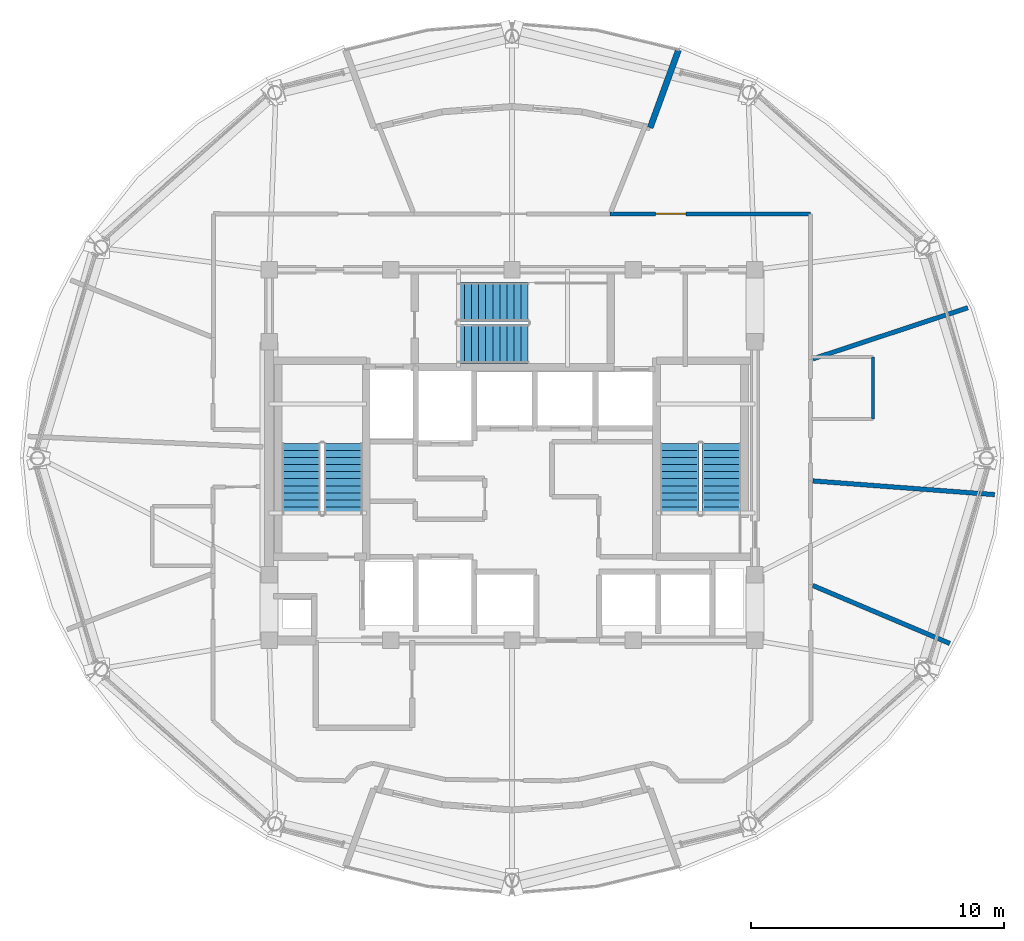
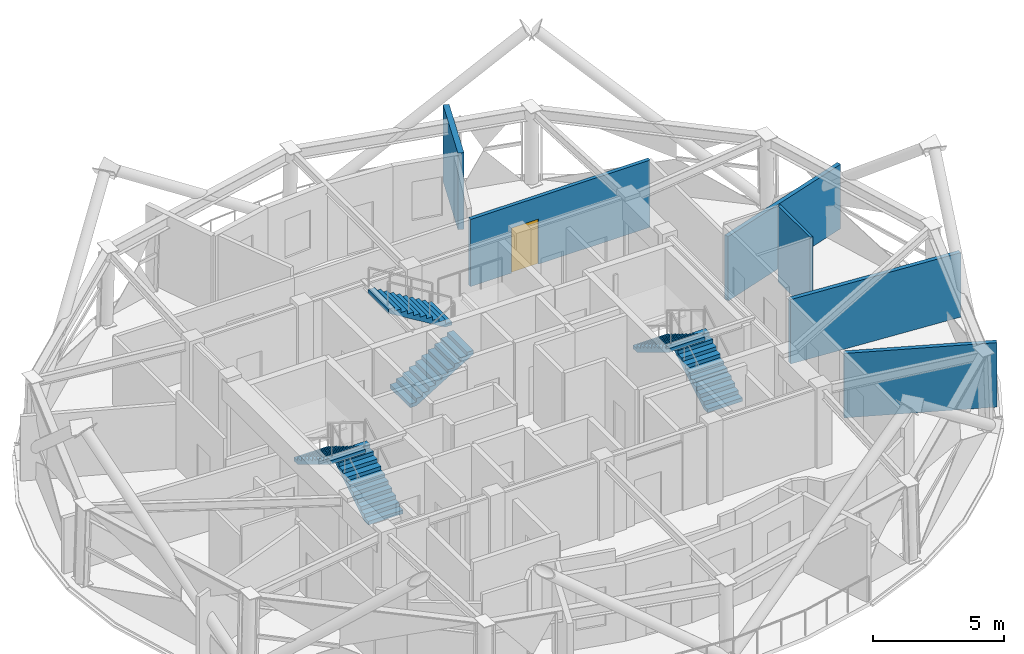
# One storey, part 10 of 13: 6 stair flights, 6 walls, 1 door, 1 opening, 3 elements without a shape of their own.
"""IFC4 building model written with IfcOpenShell, lengths in metres."""

from ifc_helpers import new_model, si_unit, direction, frame, frame_2d, origin, place, context, subcontext, project, spatial, polyline, rectangle, outline, extrude, material, layer, layer_set, type_object, element, fill, aggregate, save


model = new_model("IFC4")

# Units and contexts
model_context = context("Model", 3, precision=1e-05, world=origin(), true_north=direction((0.0, 1.0)))
body_context = subcontext(model_context, "Body", "Model", "MODEL_VIEW")
ifc_project = project(units=[si_unit("LENGTHUNIT", "METRE"), si_unit("AREAUNIT", "SQUARE_METRE"), si_unit("VOLUMEUNIT", "CUBIC_METRE"), si_unit("PLANEANGLEUNIT", "RADIAN"), si_unit("MASSUNIT", "GRAM", prefix="KILO")], contexts=[model_context])

# Site, building, storey
site_placement = place(None, origin())
site = spatial("IfcSite", under=ifc_project, at=site_placement, CompositionType="ELEMENT")
building_placement = place(site_placement, origin())
building = spatial("IfcBuilding", under=site, at=building_placement, Name="Vantalir Tower", CompositionType="ELEMENT")
storey_placement = place(building_placement, frame((0.0, 0.0, 282.60009765625)))
storey = spatial("IfcBuildingStorey", under=building, at=storey_placement, Name="L71", CompositionType="ELEMENT", Elevation=282.60009765625)

# Wall
ifc_material_1 = material(Name="Moisture-resistant en-suite partition", Category="gypsum")
ifc_layer_1 = layer(ifc_material_1, 0.125)
ifc_layer_set_1 = layer_set([ifc_layer_1], Name="Moisture-resistant en-suite partition")
wall_type_1 = type_object("IfcWallType", Name="WL-BATH-125", PredefinedType="PARTITIONING", material=ifc_layer_set_1)
wall_1_placement = place(storey_placement, frame((45.764892578125, 26.550048828125, 0.0), z_axis=(0.0, 0.0, 1.0), x_axis=(0.0, 1.0, 0.0)))
element("IfcWall", 1, at=wall_1_placement, inside=storey, type_object=wall_type_1, Name="L71 Accessible WC East Wall", PredefinedType="PARTITIONING", context=body_context, shape_type="SweptSolid", body=[
    extrude(rectangle(XDim=2.449951171875, YDim=0.125, at=frame_2d((1.22509765625, 0.0))), origin(), (0.0, 0.0, 1.0), 3.5498046875),
])

# Wall, opening, door
ifc_material_2 = material(Name="Fire-rated hotel corridor acoustic partition", Category="gypsum")
ifc_layer_2 = layer(ifc_material_2, 0.159912109375)
ifc_layer_set_2 = layer_set([ifc_layer_2], Name="Fire-rated hotel corridor acoustic partition")
wall_type_2 = type_object("IfcWallType", Name="WL-CORR-160", PredefinedType="PARTITIONING", material=ifc_layer_set_2)
wall_2_placement = place(storey_placement, frame((35.3759765625, 34.660888671875, 0.0), z_axis=(0.0, 0.0, 1.0), x_axis=(0.999999992394, -0.000123334977, 0.0)))
wall_2 = element("IfcWall", 2, at=wall_2_placement, inside=storey, type_object=wall_type_2, Name="L71 Corridor Partition 06", PredefinedType="PARTITIONING", context=body_context, shape_type="SweptSolid", body=[
    extrude(rectangle(XDim=7.91796875, YDim=0.159912109375, at=frame_2d((3.958984375, 0.0))), origin(), (0.0, 0.0, 1.0), 3.1318359375),
])
opening_placement = place(wall_2_placement, frame((1.797119140625, 0.0, 0.0)))
opening = element("IfcOpeningElement", 3, at=opening_placement, cuts=wall_2, Name="Opening D-STE", PredefinedType="OPENING", context=body_context, shape_type="SweptSolid", body=[
    extrude(rectangle(XDim=1.199951171875, YDim=2.10009765625, at=frame_2d((0.60009765625, 1.050048828125))), frame((0.0, 0.08984375, 0.0), z_axis=(0.0, -1.0, 0.0), x_axis=(1.0, 0.0, 0.0)), (0.0, 0.0, 1.0), 0.179931640625),
])
ifc_material_3 = material(Name="Solid-core teak veneer suite entrance door", Category="wood")
door_type = type_object("IfcDoorType", Name="DR-SUITE-ENTRY-1200", OperationType="NOTDEFINED", PredefinedType="DOOR", material=ifc_material_3)
door_placement = place(opening_placement, origin())
door = element("IfcDoor", 4, at=door_placement, inside=storey, type_object=door_type, Name="L71 Club Reading Lounge 01 Door", OperationType="SINGLE_SWING_RIGHT", OverallHeight=2.10009765625, OverallWidth=1.199951171875, PredefinedType="DOOR", context=body_context, shape_type="SweptSolid", body=[
    extrude(rectangle(XDim=1.199951171875, YDim=2.10009765625, at=frame_2d((0.60009765625, 1.050048828125))), frame((0.0, 0.02490234375, 0.0), z_axis=(0.0, -1.0, 0.0), x_axis=(1.0, 0.0, 0.0)), (0.0, 0.0, 1.0), 0.050048828125),
])
fill(opening, door)

# Walls
ifc_material_4 = material(Name="Precast concrete C40/50 insulated sky-garden wall", Category="concrete")
ifc_layer_3 = layer(ifc_material_4, 0.239990234375)
ifc_layer_set_3 = layer_set([ifc_layer_3], Name="Precast concrete C40/50 insulated sky-garden wall")
wall_type_3 = type_object("IfcWallType", Name="WL-EXT-SG-240", PredefinedType="SOLIDWALL", material=ifc_layer_set_3)
wall_3_placement = place(storey_placement, frame((38.080078125, 41.135009765625, 0.0), z_axis=(0.0, 0.0, 1.0), x_axis=(-0.341934878677, -0.939723650199, 0.0)))
element("IfcWall", 5, at=wall_3_placement, inside=storey, type_object=wall_type_3, Name="L71 Wind Portal Return NA", PredefinedType="SOLIDWALL", context=body_context, shape_type="SweptSolid", body=[
    extrude(rectangle(XDim=3.27001953125, YDim=0.239990234375, at=frame_2d((1.635009765625, 0.0))), origin(), (0.0, 0.0, 1.0), 3.56982421875),
])
ifc_material_5 = material(Name="Twin-stud acoustic fire-rated gypsum partition", Category="gypsum")
ifc_layer_4 = layer(ifc_material_5, 0.179931640625)
ifc_layer_set_4 = layer_set([ifc_layer_4], Name="Twin-stud acoustic fire-rated gypsum partition")
wall_type_4 = type_object("IfcWallType", Name="WL-GUEST-180", PredefinedType="PARTITIONING", material=ifc_layer_set_4)
wall_4_placement = place(storey_placement, frame((43.389892578125, 28.926025390625, 0.0), z_axis=(0.0, 0.0, 1.0), x_axis=(0.949568833362, 0.313558655929, 0.0)))
element("IfcWall", 6, at=wall_4_placement, inside=storey, type_object=wall_type_4, Name="L71 Radial Suite Partition 01", PredefinedType="PARTITIONING", context=body_context, shape_type="SweptSolid", body=[
    extrude(rectangle(XDim=6.45166015625, YDim=0.179931640625, at=frame_2d((3.225830078125, 0.0))), origin(), (0.0, 0.0, 1.0), 3.0029296875),
])
wall_5_placement = place(storey_placement, frame((43.389892578125, 19.969970703125, 0.0), z_axis=(0.0, 0.0, 1.0), x_axis=(0.920983308455, -0.389602034835, 0.0)))
element("IfcWall", 7, at=wall_5_placement, inside=storey, type_object=wall_type_4, Name="L71 Radial Suite Partition 09", PredefinedType="PARTITIONING", context=body_context, shape_type="SweptSolid", body=[
    extrude(rectangle(XDim=5.87548828125, YDim=0.179931640625, at=frame_2d((2.937744140625, 0.0))), origin(), (0.0, 0.0, 1.0), 3.0029296875),
])
wall_6_placement = place(storey_placement, frame((43.389892578125, 24.10400390625, 0.0), z_axis=(0.0, 0.0, 1.0), x_axis=(0.997169297375, -0.075189044228, 0.0)))
element("IfcWall", 8, at=wall_6_placement, inside=storey, type_object=wall_type_4, Name="L71 Radial Suite Partition 10", PredefinedType="PARTITIONING", context=body_context, shape_type="SweptSolid", body=[
    extrude(rectangle(XDim=7.20849609375, YDim=0.179931640625, at=frame_2d((3.604248046875, 0.0))), origin(), (0.0, 0.0, 1.0), 3.0029296875),
])

# Stair, stair flights
ifc_material_6 = material(Name="Concrete C40/50", Category="concrete")
stair_type = type_object("IfcStairType", Name="STR-CORE-1450", PredefinedType="HALF_TURN_STAIR", material=ifc_material_6)
stair_1_placement = place(storey_placement, origin())
stair_1 = element("IfcStair", 9, at=stair_1_placement, inside=storey, type_object=stair_type, Name="L71 Core Exit Stair 1", PredefinedType="HALF_TURN_STAIR")
stair_flight_type = type_object("IfcStairFlightType", Name="FLT-CORE-1450", PredefinedType="STRAIGHT", material=ifc_material_6)
stair_flight_1_placement = place(storey_placement, frame((24.830078125, 22.7900390625, 0.0), z_axis=(0.0, 0.0, 1.0), x_axis=(0.0, 1.0, 0.0)))
stair_flight_1 = element("IfcStairFlight", 10, at=stair_flight_1_placement, type_object=stair_flight_type, Name="ST1 flight 1", NumberOfRisers=11, NumberOfTreads=10, PredefinedType="STRAIGHT", RiserHeight=0.170454545, TreadLength=0.28, context=body_context, shape_type="SweptSolid", body=[
    extrude(outline(polyline([(0.0, 0.0), (0.0, 0.17041015625), (0.280029296875, 0.17041015625), (0.280029296875, 0.3408203125), (0.56005859375, 0.3408203125), (0.56005859375, 0.511474609375), (0.840087890625, 0.511474609375), (0.840087890625, 0.681884765625), (1.1201171875, 0.681884765625), (1.1201171875, 0.852294921875), (1.39990234375, 0.852294921875), (1.39990234375, 1.022705078125), (1.679931640625, 1.022705078125), (1.679931640625, 1.193115234375), (1.9599609375, 1.193115234375), (1.9599609375, 1.363525390625), (2.239990234375, 1.363525390625), (2.239990234375, 1.5341796875), (2.52001953125, 1.5341796875), (2.52001953125, 1.70458984375), (2.800048828125, 1.70458984375), (2.800048828125, 1.875), (2.800048828125, 1.529052734375), (0.288330078125, 0.0), (0.0, 0.0)])), frame((0.0, 0.77001953125, 0.0), z_axis=(0.0, -1.0, 0.0), x_axis=(1.0, 0.0, 0.0)), (0.0, 0.0, 1.0), 1.5400390625),
])
stair_flight_2_placement = place(storey_placement, frame((23.169921875, 25.590087890625, 1.875), z_axis=(0.0, 0.0, 1.0), x_axis=(0.0, -1.0, 0.0)))
stair_flight_2 = element("IfcStairFlight", 11, at=stair_flight_2_placement, type_object=stair_flight_type, Name="ST1 flight 2", NumberOfRisers=11, NumberOfTreads=10, PredefinedType="STRAIGHT", RiserHeight=0.170454545, TreadLength=0.28, context=body_context, shape_type="SweptSolid", body=[
    extrude(outline(polyline([(0.0, 0.0), (0.0, 0.17041015625), (0.280029296875, 0.17041015625), (0.280029296875, 0.3408203125), (0.56005859375, 0.3408203125), (0.56005859375, 0.511474609375), (0.840087890625, 0.511474609375), (0.840087890625, 0.681884765625), (1.1201171875, 0.681884765625), (1.1201171875, 0.852294921875), (1.39990234375, 0.852294921875), (1.39990234375, 1.022705078125), (1.679931640625, 1.022705078125), (1.679931640625, 1.193115234375), (1.9599609375, 1.193115234375), (1.9599609375, 1.363525390625), (2.239990234375, 1.363525390625), (2.239990234375, 1.5341796875), (2.52001953125, 1.5341796875), (2.52001953125, 1.70458984375), (2.800048828125, 1.70458984375), (2.800048828125, 1.875), (2.800048828125, 1.529052734375), (0.288330078125, 0.0), (0.0, 0.0)])), frame((0.0, 0.77001953125, 0.0), z_axis=(0.0, -1.0, 0.0), x_axis=(1.0, 0.0, 0.0)), (0.0, 0.0, 1.0), 1.5400390625),
])
aggregate(stair_1, [stair_flight_1, stair_flight_2])

stair_2_placement = place(storey_placement, origin())
stair_2 = element("IfcStair", 12, at=stair_2_placement, inside=storey, type_object=stair_type, Name="L71 Core Exit Stair 2", PredefinedType="HALF_TURN_STAIR")
stair_flight_3_placement = place(storey_placement, frame((39.780029296875, 22.7900390625, 0.0), z_axis=(0.0, 0.0, 1.0), x_axis=(0.0, 1.0, 0.0)))
stair_flight_3 = element("IfcStairFlight", 13, at=stair_flight_3_placement, type_object=stair_flight_type, Name="ST2 flight 1", NumberOfRisers=11, NumberOfTreads=10, PredefinedType="STRAIGHT", RiserHeight=0.170454545, TreadLength=0.28, context=body_context, shape_type="SweptSolid", body=[
    extrude(outline(polyline([(0.0, 0.0), (0.0, 0.17041015625), (0.280029296875, 0.17041015625), (0.280029296875, 0.3408203125), (0.56005859375, 0.3408203125), (0.56005859375, 0.511474609375), (0.840087890625, 0.511474609375), (0.840087890625, 0.681884765625), (1.1201171875, 0.681884765625), (1.1201171875, 0.852294921875), (1.39990234375, 0.852294921875), (1.39990234375, 1.022705078125), (1.679931640625, 1.022705078125), (1.679931640625, 1.193115234375), (1.9599609375, 1.193115234375), (1.9599609375, 1.363525390625), (2.239990234375, 1.363525390625), (2.239990234375, 1.5341796875), (2.52001953125, 1.5341796875), (2.52001953125, 1.70458984375), (2.800048828125, 1.70458984375), (2.800048828125, 1.875), (2.800048828125, 1.529052734375), (0.288330078125, 0.0), (0.0, 0.0)])), frame((0.0, 0.77001953125, 0.0), z_axis=(0.0, -1.0, 0.0), x_axis=(1.0, 0.0, 0.0)), (0.0, 0.0, 1.0), 1.5400390625),
])
stair_flight_4_placement = place(storey_placement, frame((38.1201171875, 25.590087890625, 1.875), z_axis=(0.0, 0.0, 1.0), x_axis=(0.0, -1.0, 0.0)))
stair_flight_4 = element("IfcStairFlight", 14, at=stair_flight_4_placement, type_object=stair_flight_type, Name="ST2 flight 2", NumberOfRisers=11, NumberOfTreads=10, PredefinedType="STRAIGHT", RiserHeight=0.170454545, TreadLength=0.28, context=body_context, shape_type="SweptSolid", body=[
    extrude(outline(polyline([(0.0, 0.0), (0.0, 0.17041015625), (0.280029296875, 0.17041015625), (0.280029296875, 0.3408203125), (0.56005859375, 0.3408203125), (0.56005859375, 0.511474609375), (0.840087890625, 0.511474609375), (0.840087890625, 0.681884765625), (1.1201171875, 0.681884765625), (1.1201171875, 0.852294921875), (1.39990234375, 0.852294921875), (1.39990234375, 1.022705078125), (1.679931640625, 1.022705078125), (1.679931640625, 1.193115234375), (1.9599609375, 1.193115234375), (1.9599609375, 1.363525390625), (2.239990234375, 1.363525390625), (2.239990234375, 1.5341796875), (2.52001953125, 1.5341796875), (2.52001953125, 1.70458984375), (2.800048828125, 1.70458984375), (2.800048828125, 1.875), (2.800048828125, 1.529052734375), (0.288330078125, 0.0), (0.0, 0.0)])), frame((0.0, 0.77001953125, 0.0), z_axis=(0.0, -1.0, 0.0), x_axis=(1.0, 0.0, 0.0)), (0.0, 0.0, 1.0), 1.5400390625),
])
aggregate(stair_2, [stair_flight_3, stair_flight_4])

stair_3_placement = place(storey_placement, origin())
stair_3 = element("IfcStair", 15, at=stair_3_placement, inside=storey, type_object=stair_type, Name="L71 Core Exit Stair 3", PredefinedType="HALF_TURN_STAIR")
stair_flight_5_placement = place(storey_placement, frame((29.340087890625, 29.52001953125, 0.0), z_axis=(0.0, 0.0, 1.0), x_axis=(1.0, 0.0, 0.0)))
stair_flight_5 = element("IfcStairFlight", 16, at=stair_flight_5_placement, type_object=stair_flight_type, Name="ST3 flight 1", NumberOfRisers=11, NumberOfTreads=10, PredefinedType="STRAIGHT", RiserHeight=0.170454545, TreadLength=0.28, context=body_context, shape_type="SweptSolid", body=[
    extrude(outline(polyline([(0.0, 0.0), (0.0, 0.17041015625), (0.280029296875, 0.17041015625), (0.280029296875, 0.3408203125), (0.56005859375, 0.3408203125), (0.56005859375, 0.511474609375), (0.840087890625, 0.511474609375), (0.840087890625, 0.681884765625), (1.1201171875, 0.681884765625), (1.1201171875, 0.852294921875), (1.39990234375, 0.852294921875), (1.39990234375, 1.022705078125), (1.679931640625, 1.022705078125), (1.679931640625, 1.193115234375), (1.9599609375, 1.193115234375), (1.9599609375, 1.363525390625), (2.239990234375, 1.363525390625), (2.239990234375, 1.5341796875), (2.52001953125, 1.5341796875), (2.52001953125, 1.70458984375), (2.800048828125, 1.70458984375), (2.800048828125, 1.875), (2.800048828125, 1.529052734375), (0.288330078125, 0.0), (0.0, 0.0)])), frame((0.0, 0.77001953125, 0.0), z_axis=(0.0, -1.0, 0.0), x_axis=(1.0, 0.0, 0.0)), (0.0, 0.0, 1.0), 1.5400390625),
])
stair_flight_6_placement = place(storey_placement, frame((32.139892578125, 31.179931640625, 1.875), z_axis=(0.0, 0.0, 1.0), x_axis=(-1.0, 0.0, 0.0)))
stair_flight_6 = element("IfcStairFlight", 17, at=stair_flight_6_placement, type_object=stair_flight_type, Name="ST3 flight 2", NumberOfRisers=11, NumberOfTreads=10, PredefinedType="STRAIGHT", RiserHeight=0.170454545, TreadLength=0.28, context=body_context, shape_type="SweptSolid", body=[
    extrude(outline(polyline([(0.0, 0.0), (0.0, 0.17041015625), (0.280029296875, 0.17041015625), (0.280029296875, 0.3408203125), (0.56005859375, 0.3408203125), (0.56005859375, 0.511474609375), (0.840087890625, 0.511474609375), (0.840087890625, 0.681884765625), (1.1201171875, 0.681884765625), (1.1201171875, 0.852294921875), (1.39990234375, 0.852294921875), (1.39990234375, 1.022705078125), (1.679931640625, 1.022705078125), (1.679931640625, 1.193115234375), (1.9599609375, 1.193115234375), (1.9599609375, 1.363525390625), (2.239990234375, 1.363525390625), (2.239990234375, 1.5341796875), (2.52001953125, 1.5341796875), (2.52001953125, 1.70458984375), (2.800048828125, 1.70458984375), (2.800048828125, 1.875), (2.800048828125, 1.529052734375), (0.288330078125, 0.0), (0.0, 0.0)])), frame((0.0, 0.77001953125, 0.0), z_axis=(0.0, -1.0, 0.0), x_axis=(1.0, 0.0, 0.0)), (0.0, 0.0, 1.0), 1.5400390625),
])
aggregate(stair_3, [stair_flight_5, stair_flight_6])

save(model, "model.ifc")
